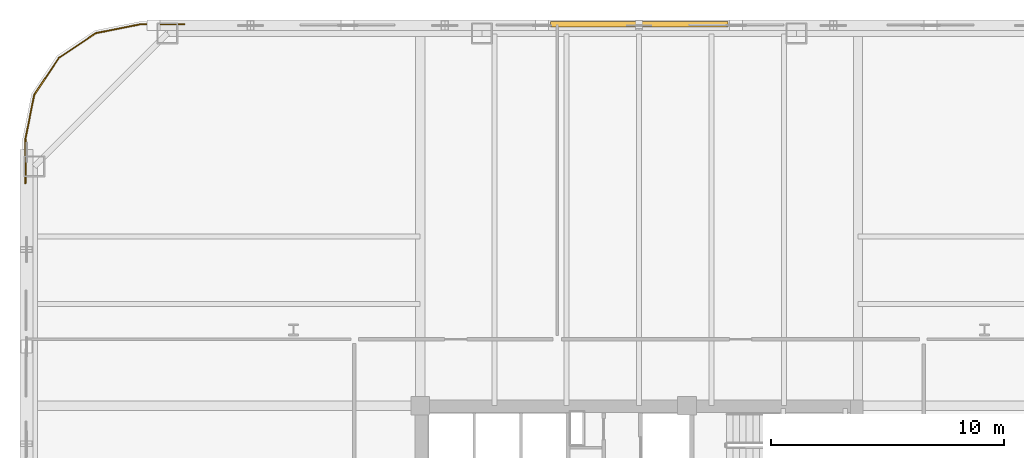
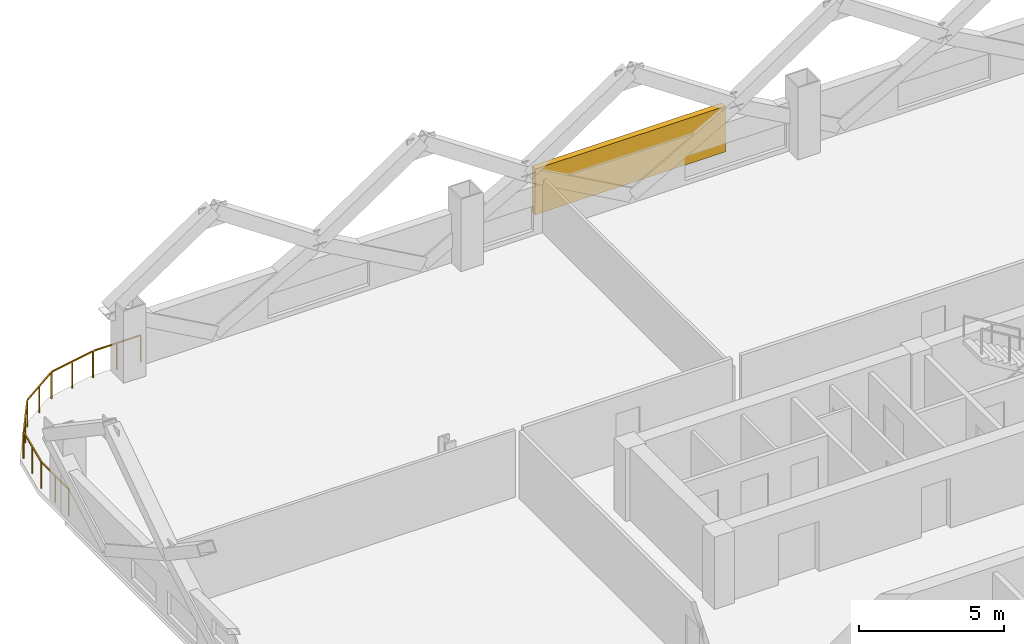
# One storey, part 12 of 13: 1 railing, 1 shading device.
"""IFC4 building model written with IfcOpenShell, lengths in metres."""

from ifc_helpers import new_model, si_unit, direction, frame, origin, origin_2d, place, context, subcontext, project, spatial, rectangle, extrude, material, type_object, element, save


model = new_model("IFC4")

# Units and contexts
model_context = context("Model", 3, precision=1e-05, world=origin(), true_north=direction((0.0, 1.0)))
body_context = subcontext(model_context, "Body", "Model", "MODEL_VIEW")
ifc_project = project(units=[si_unit("LENGTHUNIT", "METRE"), si_unit("AREAUNIT", "SQUARE_METRE"), si_unit("VOLUMEUNIT", "CUBIC_METRE"), si_unit("PLANEANGLEUNIT", "RADIAN"), si_unit("MASSUNIT", "GRAM", prefix="KILO")], contexts=[model_context])

# Site, building, storey
site_placement = place(None, origin())
site = spatial("IfcSite", under=ifc_project, at=site_placement, CompositionType="ELEMENT")
building_placement = place(site_placement, origin())
building = spatial("IfcBuilding", under=site, at=building_placement, Name="Qhalaya Broadcast Tower", CompositionType="ELEMENT")
storey_placement = place(building_placement, frame((0.0, 0.0, 32.199951171875)))
storey = spatial("IfcBuildingStorey", under=building, at=storey_placement, Name="L08", CompositionType="ELEMENT", Elevation=32.199951171875)

# Railing
ifc_material_1 = material(Name="Powder-Coated Galvanised Steel", Category="steel")
railing_type = type_object("IfcRailingType", Name="Terrace, Sky-Pool & Lookout Glass Balustrade 1150", PredefinedType="BALUSTRADE", material=ifc_material_1)
railing_placement = place(storey_placement, frame((-26.280029296875, 19.48193359375, 0.0)))
element("IfcRailing", 1, at=railing_placement, inside=storey, type_object=railing_type, Name="L08 Rounded Corner Perimeter Guard 03", PredefinedType="BALUSTRADE", context=body_context, shape_type="SweptSolid", body=[
    extrude(rectangle(XDim=0.048095703125, YDim=0.048095703125, at=origin_2d()), frame((0.0, 0.0, 1.1259765625), z_axis=(0.0, 1.0, 0.0), x_axis=(-1.0, 0.0, 0.0)), (0.0, 0.0, 1.0), 1.87744140625),
    extrude(rectangle(XDim=0.048095703125, YDim=0.048095703125, at=origin_2d()), frame((0.005615234375, 1.9345703125, 1.1259765625), z_axis=(0.195037378397, 0.980795810058, 0.0), x_axis=(-0.980795810058, 0.195037378397, 0.0)), (0.0, 0.0, 1.0), 1.857421875),
    extrude(rectangle(XDim=0.048095703125, YDim=0.048095703125, at=origin_2d()), frame((0.3896484375, 3.80859375, 1.1259765625), z_axis=(0.555558355728, 0.831477548332, 0.0), x_axis=(-0.831477548332, 0.555558355728, 0.0)), (0.0, 0.0, 1.0), 1.845458984375),
    extrude(rectangle(XDim=0.048095703125, YDim=0.048095703125, at=origin_2d()), frame((1.454833984375, 5.38330078125, 1.1259765625), z_axis=(0.831477548332, 0.555558355728, 0.0), x_axis=(-0.555558355728, 0.831477548332, 0.0)), (0.0, 0.0, 1.0), 1.845458984375),
    extrude(rectangle(XDim=0.048095703125, YDim=0.048095703125, at=origin_2d()), frame((3.041748046875, 6.43017578125, 1.1259765625), z_axis=(0.980795810058, 0.195037378397, 0.0), x_axis=(-0.195037378397, 0.980795810058, 0.0)), (0.0, 0.0, 1.0), 1.857421875),
    extrude(rectangle(XDim=0.048095703125, YDim=0.048095703125, at=origin_2d()), frame((4.920654296875, 6.798095703125, 1.1259765625), z_axis=(1.0, 0.0, 0.0), x_axis=(0.0, 1.0, 0.0)), (0.0, 0.0, 1.0), 1.87744140625),
    extrude(rectangle(XDim=0.0419921875, YDim=0.0419921875, at=origin_2d()), origin(), (0.0, 0.0, 1.0), 1.099853515625),
    extrude(rectangle(XDim=0.0419921875, YDim=0.0419921875, at=origin_2d()), frame((0.0, 0.953125, 0.0)), (0.0, 0.0, 1.0), 1.099853515625),
    extrude(rectangle(XDim=0.0419921875, YDim=0.0419921875, at=origin_2d()), frame((0.0, 1.90625, 0.0)), (0.0, 0.0, 1.0), 1.099853515625),
    extrude(rectangle(XDim=0.0419921875, YDim=0.0419921875, at=origin_2d()), frame((0.186767578125, 2.845458984375, 0.0)), (0.0, 0.0, 1.0), 1.099853515625),
    extrude(rectangle(XDim=0.0419921875, YDim=0.0419921875, at=origin_2d()), frame((0.37353515625, 3.78466796875, 0.0)), (0.0, 0.0, 1.0), 1.099853515625),
    extrude(rectangle(XDim=0.0419921875, YDim=0.0419921875, at=origin_2d()), frame((0.90234375, 4.575927734375, 0.0)), (0.0, 0.0, 1.0), 1.099853515625),
    extrude(rectangle(XDim=0.0419921875, YDim=0.0419921875, at=origin_2d()), frame((1.430908203125, 5.3671875, 0.0)), (0.0, 0.0, 1.0), 1.099853515625),
    extrude(rectangle(XDim=0.0419921875, YDim=0.0419921875, at=origin_2d()), frame((2.22216796875, 5.89599609375, 0.0)), (0.0, 0.0, 1.0), 1.099853515625),
    extrude(rectangle(XDim=0.0419921875, YDim=0.0419921875, at=origin_2d()), frame((3.013427734375, 6.424560546875, 0.0)), (0.0, 0.0, 1.0), 1.099853515625),
    extrude(rectangle(XDim=0.0419921875, YDim=0.0419921875, at=origin_2d()), frame((3.95263671875, 6.611328125, 0.0)), (0.0, 0.0, 1.0), 1.099853515625),
    extrude(rectangle(XDim=0.0419921875, YDim=0.0419921875, at=origin_2d()), frame((4.891845703125, 6.798095703125, 0.0)), (0.0, 0.0, 1.0), 1.099853515625),
    extrude(rectangle(XDim=0.0419921875, YDim=0.0419921875, at=origin_2d()), frame((5.844970703125, 6.798095703125, 0.0)), (0.0, 0.0, 1.0), 1.099853515625),
    extrude(rectangle(XDim=0.0419921875, YDim=0.0419921875, at=origin_2d()), frame((6.798095703125, 6.798095703125, 0.0)), (0.0, 0.0, 1.0), 1.099853515625),
])

# Shading device
ifc_material_2 = material(Name="Fired Architectural Terracotta", Category="masonry")
shading_device_type = type_object("IfcShadingDeviceType", Name="Terracotta Baguette Solar Screen Assembly TBS-01", PredefinedType="USERDEFINED", material=ifc_material_2)
shading_device_placement = place(storey_placement, frame((0.0, 26.280029296875, 0.79248046875), z_axis=(0.0, 0.0, 1.0), x_axis=(-1.0, 0.0, 0.0)))
element("IfcShadingDevice", 2, at=shading_device_placement, inside=storey, type_object=shading_device_type, Name="L08 Fired Terracotta Baguette Screen N", ObjectType="BAGUETTE", PredefinedType="USERDEFINED", context=body_context, shape_type="SweptSolid", body=[
    extrude(rectangle(XDim=7.60009765625, YDim=0.239990234375, at=origin_2d()), origin(), (0.0, 0.0, 1.0), 1.924072265625),
])

save(model, "model.ifc")
